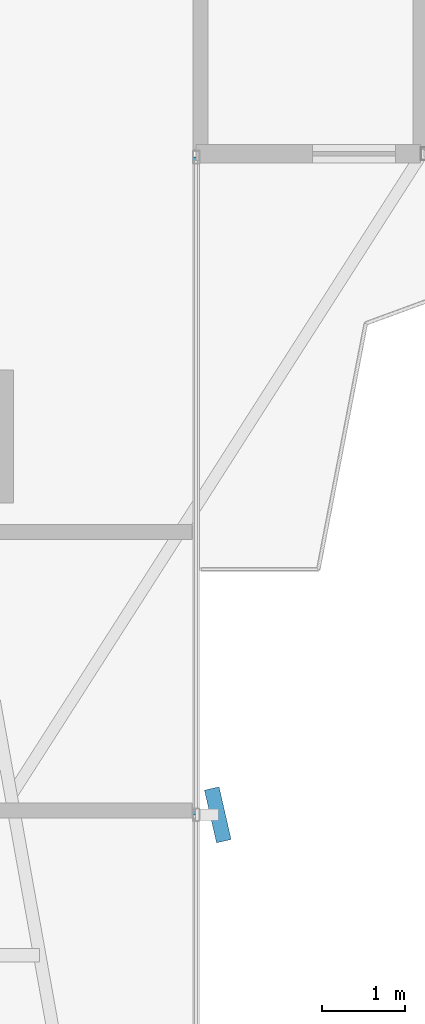
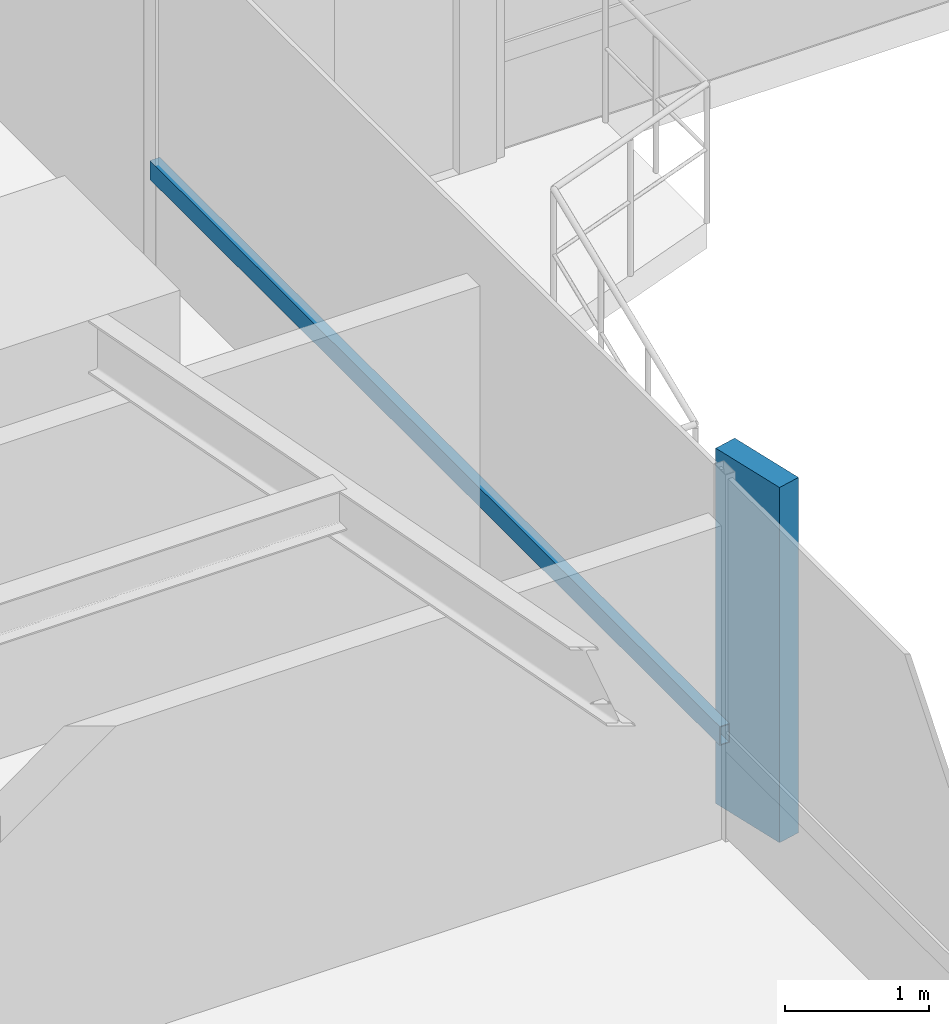
# One storey, part 5 of 26: 2 members, 1 element without a shape of its own.
"""IFC4 building model written with IfcOpenShell, lengths in metres."""

from ifc_helpers import new_model, si_unit, direction, frame, origin, origin_2d, place, context, subcontext, project, spatial, rectangle, hollow_rectangle, extrude, source, transform, mapped, material, material_profile, profile_set, type_object, element, aggregate, save


model = new_model("IFC4")

# Units and contexts
model_context = context("Model", 3, precision=1e-05, world=origin(), true_north=direction((0.0, 1.0)))
body_context = subcontext(model_context, "Body", "Model", "MODEL_VIEW")
ifc_project = project(units=[si_unit("LENGTHUNIT", "METRE"), si_unit("AREAUNIT", "SQUARE_METRE"), si_unit("VOLUMEUNIT", "CUBIC_METRE"), si_unit("PLANEANGLEUNIT", "RADIAN"), si_unit("MASSUNIT", "GRAM", prefix="KILO")], contexts=[model_context])

# Site, building, storey
site_placement = place(None, origin())
site = spatial("IfcSite", under=ifc_project, at=site_placement, CompositionType="ELEMENT")
building_placement = place(site_placement, origin())
building = spatial("IfcBuilding", under=site, at=building_placement, Name="Sahyath Konkavel Grand Hotel", CompositionType="ELEMENT")
storey_placement = place(building_placement, frame((0.0, 0.0, 26.449951171875)))
storey = spatial("IfcBuildingStorey", under=building, at=storey_placement, Name="L06", CompositionType="ELEMENT", Elevation=26.449951171875)

# Curtain wall, members
ifc_material_1 = material(Name="Anodised Bronze Aluminium & Low-E Glazing", Category="aluminium")
curtain_wall_type = type_object("IfcCurtainWallType", Name="CW-ZONE1", PredefinedType="NOTDEFINED", material=ifc_material_1)
curtain_wall_placement = place(storey_placement, origin())
curtain_wall = element("IfcCurtainWall", 1, at=curtain_wall_placement, inside=storey, type_object=curtain_wall_type, Name="L06 Unitised Curtain Wall F31", PredefinedType="NOTDEFINED")
ifc_material_2 = material(Name="Warm Buff Sandstone Cladding on Concrete C50/60", Category="masonry")
ifc_material_profile_1 = material_profile(ifc_material_2, rectangle(XDim=0.179931640625, YDim=0.64990234375, at=origin_2d()), Name="FIN 180x650")
ifc_profile_set_1 = profile_set([ifc_material_profile_1], Name="Warm Buff Sandstone Cladding on Concrete C50/60")
member_type_1 = type_object("IfcMemberType", Name="FIN-SANDSTONE-650", PredefinedType="MULLION", material=ifc_profile_set_1)
shared_shape_1 = source(origin(), body_context, "Body", "SweptSolid", [
    extrude(rectangle(XDim=0.179931640625, YDim=0.64990234375, at=origin_2d()), origin(), (0.0, 0.0, 1.0), 3.010009765625),
])
member_1_placement = place(storey_placement, frame((7.06005859375, -14.75, 0.050048828125), z_axis=(0.0, 0.0, 1.0), x_axis=(0.974644167091, 0.223760469153, 0.0)))
member_1 = element("IfcMember", 2, at=member_1_placement, type_object=member_type_1, Name="L06 Sandstone Vertical Solar Fin FIN F31-1", PredefinedType="MULLION", context=body_context, shape_type="MappedRepresentation", body=[
    mapped(shared_shape_1, transform((0.0, 0.0, 0.0), scale=1.0)),
])
ifc_material_3 = material(Name="Anodised Bronze Aluminium", Category="aluminium")
ifc_material_profile_2 = material_profile(ifc_material_3, hollow_rectangle(XDim=0.080078125, YDim=0.159912109375, WallThickness=0.006103515625, at=origin_2d()), Name="RHS 160x80x6")
ifc_profile_set_2 = profile_set([ifc_material_profile_2], Name="Anodised Bronze Aluminium")
member_type_2 = type_object("IfcMemberType", Name="CW-TRN-160", PredefinedType="USERDEFINED", material=ifc_profile_set_2)
shared_shape_2 = source(origin(), body_context, "Body", "SweptSolid", [
    extrude(hollow_rectangle(XDim=0.080078125, YDim=0.159912109375, WallThickness=0.006103515625, at=origin_2d()), origin(), (0.0, 0.0, 1.0), 7.909912109375),
])
member_2_placement = place(storey_placement, frame((6.800048828125, -14.75, 0.85009765625), z_axis=(0.0, 1.0, 0.0), x_axis=(-1.0, 0.0, 0.0)))
member_2 = element("IfcMember", 3, at=member_2_placement, type_object=member_type_2, Name="L06 Curtain Wall Transom F31-1-spandrel", ObjectType="TRANSOM", PredefinedType="USERDEFINED", context=body_context, shape_type="MappedRepresentation", body=[
    mapped(shared_shape_2, transform((0.0, 0.0, 0.0), scale=1.0)),
])
aggregate(curtain_wall, [member_1, member_2])

save(model, "model.ifc")
